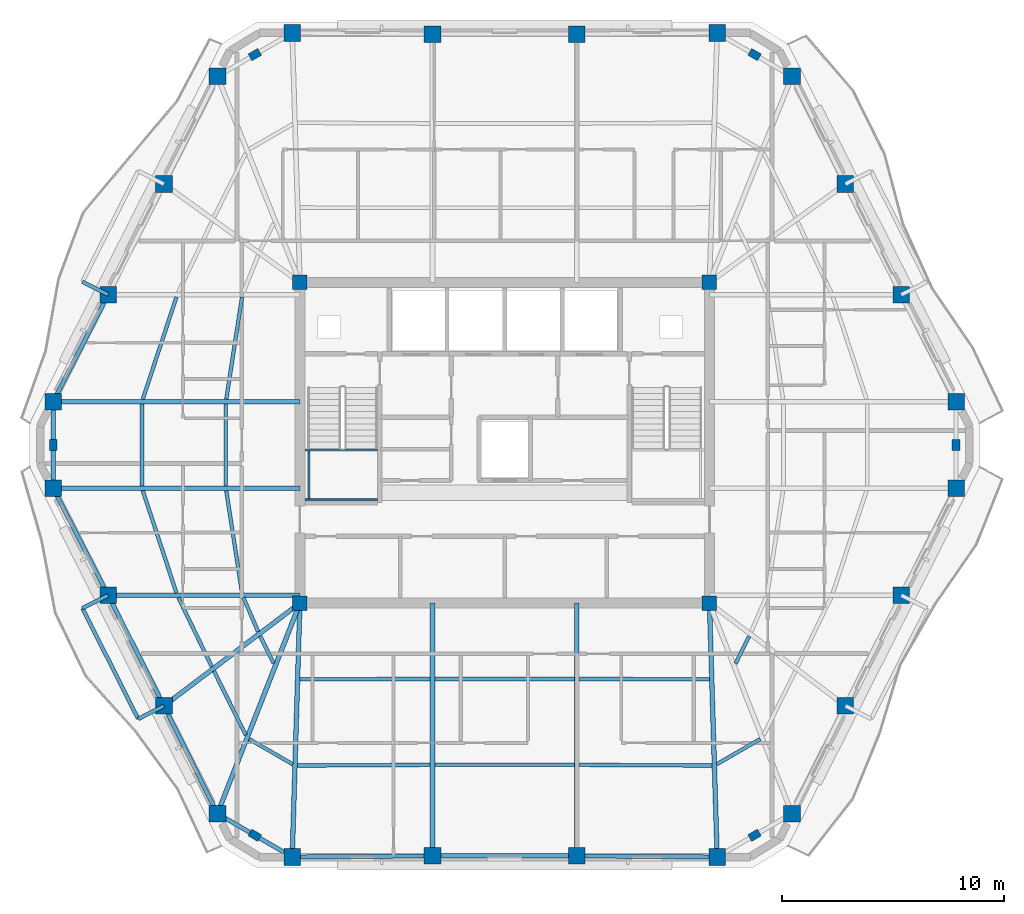
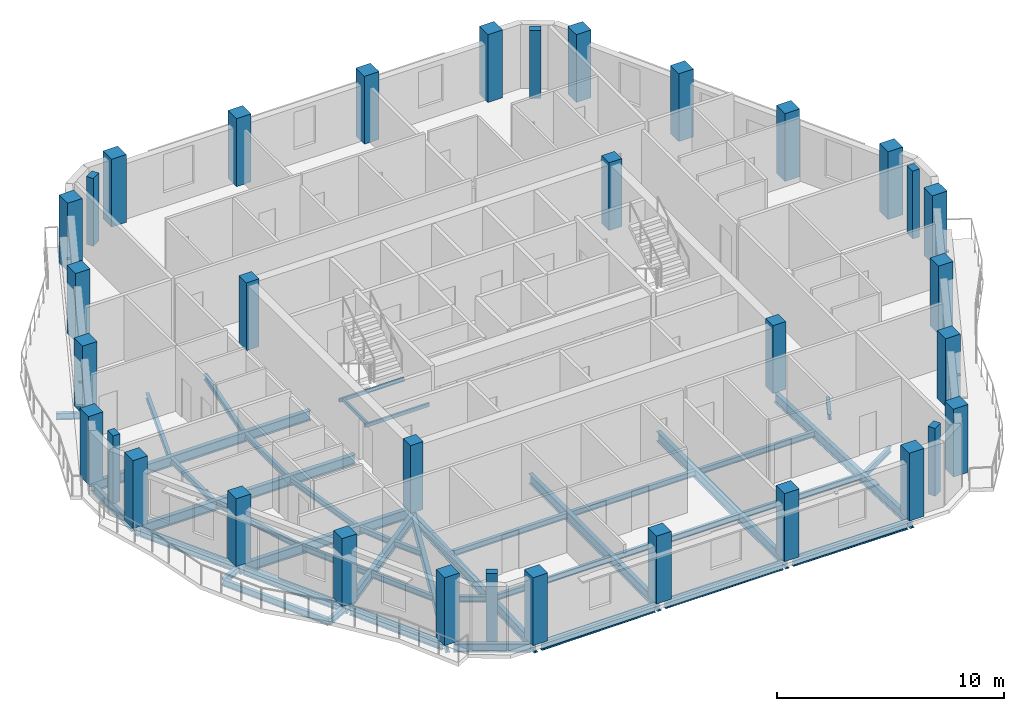
# One storey, part 1 of 11: 44 beams, 34 columns.
"""IFC4 building model written with IfcOpenShell, lengths in metres."""

from ifc_helpers import new_model, si_unit, direction, frame, origin, origin_2d, place, context, subcontext, project, spatial, rectangle, hollow_rectangle, i_section, extrude, material, material_profile, profile_set, type_object, element, save


model = new_model("IFC4")

# Units and contexts
model_context = context("Model", 3, precision=1e-05, world=origin(), true_north=direction((0.0, 1.0)))
body_context = subcontext(model_context, "Body", "Model", "MODEL_VIEW")
ifc_project = project(units=[si_unit("LENGTHUNIT", "METRE"), si_unit("AREAUNIT", "SQUARE_METRE"), si_unit("VOLUMEUNIT", "CUBIC_METRE"), si_unit("PLANEANGLEUNIT", "RADIAN"), si_unit("MASSUNIT", "GRAM", prefix="KILO")], contexts=[model_context])

# Site, building, storey
site_placement = place(None, origin())
site = spatial("IfcSite", under=ifc_project, at=site_placement, CompositionType="ELEMENT")
building_placement = place(site_placement, origin())
building = spatial("IfcBuilding", under=site, at=building_placement, Name="Cinnabar Lancet Tower", CompositionType="ELEMENT")
storey_placement = place(building_placement, frame((0.0, 0.0, 256.199951171875)))
storey = spatial("IfcBuildingStorey", under=building, at=storey_placement, Name="L68", CompositionType="ELEMENT", Elevation=256.199951171875)

# Columns
ifc_material_1 = material(Name="Concrete C50/60", Category="concrete")
ifc_material_profile_1 = material_profile(ifc_material_1, rectangle(XDim=0.64990234375, YDim=0.64990234375, at=origin_2d()), Name="RC-COL 650x650")
ifc_profile_set_1 = profile_set([ifc_material_profile_1], Name="Concrete C50/60")
column_type_1 = type_object("IfcColumnType", Name="STR-COL-CORE-650B", PredefinedType="COLUMN", material=ifc_profile_set_1)
for number, where, z_axis, x_axis, name in (
    (1, (23.175048828125, 18.675048828125, 0.0), (0.0, 0.0, 1.0), (1.0, 0.0, 0.0), "L68 Core Corner Column SW"),
    (2, (41.625, 18.675048828125, 0.0), (0.0, 0.0, 1.0), (1.0, 0.0, 0.0), "L68 Core Corner Column SE"),
    (3, (41.625, 33.125, 0.0), (0.0, 0.0, 1.0), (1.0, 0.0, 0.0), "L68 Core Corner Column NE"),
    (4, (23.175048828125, 33.125, 0.0), (0.0, 0.0, 1.0), (1.0, 0.0, 0.0), "L68 Core Corner Column NW"),
):
    element("IfcColumn", number, at=place(storey_placement, frame(where, z_axis=z_axis, x_axis=x_axis)), inside=storey, type_object=column_type_1, Name=name, PredefinedType="COLUMN", context=body_context, shape_type="SweptSolid", body=[
        extrude(rectangle(XDim=0.64990234375, YDim=0.64990234375, at=origin_2d()), origin(), (0.0, 0.0, 1.0), 3.650146484375),
    ])
ifc_material_2 = material(Name="Concrete C60/75", Category="concrete")
ifc_material_profile_2 = material_profile(ifc_material_2, rectangle(XDim=0.5, YDim=0.35009765625, at=origin_2d()), Name="RC-PIL 500x350")
ifc_profile_set_2 = profile_set([ifc_material_profile_2], Name="Concrete C60/75")
column_type_2 = type_object("IfcColumnType", Name="STR-COL-PIL-500", PredefinedType="PILASTER", material=ifc_profile_set_2)
for number, where, z_axis, x_axis, name in (
    (5, (21.14306640625, 8.215087890625, 0.0), (0.0, 0.0, 1.0), (0.865256437757, -0.501329529272, 0.0), "L68 Chamfered Corner Pilaster 1"),
    (6, (43.656982421875, 8.215087890625, 0.0), (0.0, 0.0, 1.0), (0.865256437757, 0.501329529272, 0.0), "L68 Chamfered Corner Pilaster 2"),
    (7, (52.737060546875, 25.800048828125, 0.0), (0.0, 0.0, 1.0), (0.0, 1.0, 0.0), "L68 Chamfered Corner Pilaster 3"),
    (8, (43.656982421875, 43.385009765625, 0.0), (0.0, 0.0, 1.0), (-0.865256437757, 0.501329529272, 0.0), "L68 Chamfered Corner Pilaster 4"),
    (9, (21.14306640625, 43.385009765625, 0.0), (0.0, 0.0, 1.0), (-0.865256437757, -0.501329529272, 0.0), "L68 Chamfered Corner Pilaster 5"),
    (10, (12.06298828125, 25.800048828125, 0.0), (0.0, 0.0, 1.0), (0.0, -1.0, 0.0), "L68 Chamfered Corner Pilaster 6"),
):
    element("IfcColumn", number, at=place(storey_placement, frame(where, z_axis=z_axis, x_axis=x_axis)), inside=storey, type_object=column_type_2, Name=name, PredefinedType="PILASTER", context=body_context, shape_type="SweptSolid", body=[
        extrude(rectangle(XDim=0.5, YDim=0.35009765625, at=origin_2d()), origin(), (0.0, 0.0, 1.0), 3.650146484375),
    ])
ifc_material_3 = material(Name="Concrete C50/60", Category="concrete")
ifc_material_profile_3 = material_profile(ifc_material_3, rectangle(XDim=0.75, YDim=0.75, at=origin_2d()), Name="RC-COL 750x750")
ifc_profile_set_3 = profile_set([ifc_material_profile_3], Name="Concrete C50/60")
column_type_3 = type_object("IfcColumnType", Name="STR-COL-TUBE-750", PredefinedType="COLUMN", material=ifc_profile_set_3)
for number, where, z_axis, x_axis, name in (
    (11, (22.827880859375, 7.239013671875, 0.0), (0.0, 0.0, 1.0), (1.0, 0.0, 0.0), "L68 Perimeter Tube Column 1"),
    (12, (29.14599609375, 7.2919921875, 0.0), (0.0, 0.0, 1.0), (1.0, 0.0, 0.0), "L68 Perimeter Tube Column 2"),
    (13, (35.654052734375, 7.2919921875, 0.0), (0.0, 0.0, 1.0), (1.0, 0.0, 0.0), "L68 Perimeter Tube Column 3"),
    (14, (41.971923828125, 7.239013671875, 0.0), (0.0, 0.0, 1.0), (1.0, 0.0, 0.0), "L68 Perimeter Tube Column 4"),
    (15, (45.341064453125, 9.19091796875, 0.0), (0.0, 0.0, 1.0), (1.0, 0.0, 0.0), "L68 Perimeter Tube Column 5"),
    (16, (47.7490234375, 14.0458984375, 0.0), (0.0, 0.0, 1.0), (1.0, 0.0, 0.0), "L68 Perimeter Tube Column 6"),
    (17, (50.263916015625, 19.032958984375, 0.0), (0.0, 0.0, 1.0), (1.0, 0.0, 0.0), "L68 Perimeter Tube Column 7"),
    (18, (52.737060546875, 23.844970703125, 0.0), (0.0, 0.0, 1.0), (1.0, 0.0, 0.0), "L68 Perimeter Tube Column 8"),
    (19, (52.737060546875, 27.7548828125, 0.0), (0.0, 0.0, 1.0), (1.0, 0.0, 0.0), "L68 Perimeter Tube Column 9"),
    (20, (50.263916015625, 32.56689453125, 0.0), (0.0, 0.0, 1.0), (1.0, 0.0, 0.0), "L68 Perimeter Tube Column 10"),
    (21, (47.7490234375, 37.553955078125, 0.0), (0.0, 0.0, 1.0), (1.0, 0.0, 0.0), "L68 Perimeter Tube Column 11"),
    (22, (45.341064453125, 42.408935546875, 0.0), (0.0, 0.0, 1.0), (1.0, 0.0, 0.0), "L68 Perimeter Tube Column 12"),
    (23, (41.971923828125, 44.361083984375, 0.0), (0.0, 0.0, 1.0), (1.0, 0.0, 0.0), "L68 Perimeter Tube Column 13"),
    (24, (35.654052734375, 44.30810546875, 0.0), (0.0, 0.0, 1.0), (1.0, 0.0, 0.0), "L68 Perimeter Tube Column 14"),
    (25, (29.14599609375, 44.30810546875, 0.0), (0.0, 0.0, 1.0), (1.0, 0.0, 0.0), "L68 Perimeter Tube Column 15"),
    (26, (22.827880859375, 44.361083984375, 0.0), (0.0, 0.0, 1.0), (1.0, 0.0, 0.0), "L68 Perimeter Tube Column 16"),
    (27, (19.458984375, 42.408935546875, 0.0), (0.0, 0.0, 1.0), (1.0, 0.0, 0.0), "L68 Perimeter Tube Column 17"),
    (28, (17.051025390625, 37.553955078125, 0.0), (0.0, 0.0, 1.0), (1.0, 0.0, 0.0), "L68 Perimeter Tube Column 18"),
    (29, (14.535888671875, 32.56689453125, 0.0), (0.0, 0.0, 1.0), (1.0, 0.0, 0.0), "L68 Perimeter Tube Column 19"),
    (30, (12.06298828125, 27.7548828125, 0.0), (0.0, 0.0, 1.0), (1.0, 0.0, 0.0), "L68 Perimeter Tube Column 20"),
    (31, (12.06298828125, 23.844970703125, 0.0), (0.0, 0.0, 1.0), (1.0, 0.0, 0.0), "L68 Perimeter Tube Column 21"),
    (32, (14.535888671875, 19.032958984375, 0.0), (0.0, 0.0, 1.0), (1.0, 0.0, 0.0), "L68 Perimeter Tube Column 22"),
    (33, (17.051025390625, 14.0458984375, 0.0), (0.0, 0.0, 1.0), (1.0, 0.0, 0.0), "L68 Perimeter Tube Column 23"),
    (34, (19.458984375, 9.19091796875, 0.0), (0.0, 0.0, 1.0), (1.0, 0.0, 0.0), "L68 Perimeter Tube Column 24"),
):
    element("IfcColumn", number, at=place(storey_placement, frame(where, z_axis=z_axis, x_axis=x_axis)), inside=storey, type_object=column_type_3, Name=name, PredefinedType="COLUMN", context=body_context, shape_type="SweptSolid", body=[
        extrude(rectangle(XDim=0.75, YDim=0.75, at=origin_2d()), origin(), (0.0, 0.0, 1.0), 3.650146484375),
    ])

# Beams
ifc_material_4 = material(Name="Structural steel S355", Category="steel")
ifc_material_profile_4 = material_profile(ifc_material_4, i_section(OverallWidth=0.1650390625, OverallDepth=0.303466796875, WebThickness=0.006103515625, FlangeThickness=0.01025390625, FilletRadius=0.0087890625, at=origin_2d()), Name="UKB 305x165x40")
ifc_profile_set_4 = profile_set([ifc_material_profile_4], Name="Structural steel S355")
beam_type_1 = type_object("IfcBeamType", Name="STR-BM-JST-305", PredefinedType="JOIST", material=ifc_profile_set_4)
beam_1_placement = place(storey_placement, frame((16.097900390625, 23.739990234375, -0.35205078125), z_axis=(0.312536616989, -0.949905712711, 0.0), x_axis=(0.949905712711, 0.312536616989, 0.0)))
element("IfcBeam", 35, at=beam_1_placement, inside=storey, type_object=beam_type_1, Name="L68 Secondary Floor Joist 1", PredefinedType="JOIST", context=body_context, shape_type="SweptSolid", body=[
    extrude(i_section(OverallWidth=0.1650390625, OverallDepth=0.303466796875, WebThickness=0.006103515625, FlangeThickness=0.01025390625, FilletRadius=0.0087890625, at=origin_2d()), origin(), (0.0, 0.0, 1.0), 4.8447265625),
])
beam_2_placement = place(storey_placement, frame((19.85791015625, 23.739990234375, -0.35205078125), z_axis=(0.152262059154, -0.988340156698, 0.0), x_axis=(0.988340156698, 0.152262059154, 0.0)))
element("IfcBeam", 36, at=beam_2_placement, inside=storey, type_object=beam_type_1, Name="L68 Secondary Floor Joist 2", PredefinedType="JOIST", context=body_context, shape_type="SweptSolid", body=[
    extrude(i_section(OverallWidth=0.1650390625, OverallDepth=0.303466796875, WebThickness=0.006103515625, FlangeThickness=0.01025390625, FilletRadius=0.0087890625, at=origin_2d()), origin(), (0.0, 0.0, 1.0), 4.65625),
])
beam_3_placement = place(storey_placement, frame((17.697021484375, 18.927978515625, -0.35205078125), z_axis=(0.43610936109, -0.899893674369, 0.0), x_axis=(0.899893674369, 0.43610936109, 0.0)))
element("IfcBeam", 37, at=beam_3_placement, inside=storey, type_object=beam_type_1, Name="L68 Secondary Floor Joist 3", PredefinedType="JOIST", context=body_context, shape_type="SweptSolid", body=[
    extrude(i_section(OverallWidth=0.1650390625, OverallDepth=0.303466796875, WebThickness=0.006103515625, FlangeThickness=0.01025390625, FilletRadius=0.0087890625, at=origin_2d()), origin(), (0.0, 0.0, 1.0), 3.467041015625),
])
beam_4_placement = place(storey_placement, frame((20.62890625, 18.927978515625, -0.35205078125), z_axis=(0.396302440144, -0.91812002262, 0.0), x_axis=(0.91812002262, 0.396302440144, 0.0)))
element("IfcBeam", 38, at=beam_4_placement, inside=storey, type_object=beam_type_1, Name="L68 Secondary Floor Joist 4", PredefinedType="JOIST", context=body_context, shape_type="SweptSolid", body=[
    extrude(i_section(OverallWidth=0.1650390625, OverallDepth=0.303466796875, WebThickness=0.006103515625, FlangeThickness=0.01025390625, FilletRadius=0.0087890625, at=origin_2d()), origin(), (0.0, 0.0, 1.0), 1.6806640625),
])
beam_5_placement = place(storey_placement, frame((19.302978515625, 15.616943359375, -0.35205078125), z_axis=(0.444330443712, -0.895862967641, 0.0), x_axis=(0.895862967641, 0.444330443712, 0.0)))
element("IfcBeam", 39, at=beam_5_placement, inside=storey, type_object=beam_type_1, Name="L68 Secondary Floor Joist 5", PredefinedType="JOIST", context=body_context, shape_type="SweptSolid", body=[
    extrude(i_section(OverallWidth=0.1650390625, OverallDepth=0.303466796875, WebThickness=0.006103515625, FlangeThickness=0.01025390625, FilletRadius=0.0087890625, at=origin_2d()), origin(), (0.0, 0.0, 1.0), 3.220458984375),
])
beam_6_placement = place(storey_placement, frame((21.385009765625, 17.19091796875, -0.35205078125), z_axis=(0.444093192127, -0.89598060063, 0.0), x_axis=(0.89598060063, 0.444093192127, 0.0)))
element("IfcBeam", 40, at=beam_6_placement, inside=storey, type_object=beam_type_1, Name="L68 Secondary Floor Joist 6", PredefinedType="JOIST", context=body_context, shape_type="SweptSolid", body=[
    extrude(i_section(OverallWidth=0.1650390625, OverallDepth=0.303466796875, WebThickness=0.006103515625, FlangeThickness=0.01025390625, FilletRadius=0.0087890625, at=origin_2d()), origin(), (0.0, 0.0, 1.0), 1.378173828125),
])
beam_7_placement = place(storey_placement, frame((20.887939453125, 12.552001953125, -0.35205078125), z_axis=(0.865426285481, -0.501036270542, 0.0), x_axis=(0.501036270542, 0.865426285481, 0.0)))
element("IfcBeam", 41, at=beam_7_placement, inside=storey, type_object=beam_type_1, Name="L68 Secondary Floor Joist 7", PredefinedType="JOIST", context=body_context, shape_type="SweptSolid", body=[
    extrude(i_section(OverallWidth=0.1650390625, OverallDepth=0.303466796875, WebThickness=0.006103515625, FlangeThickness=0.01025390625, FilletRadius=0.0087890625, at=origin_2d()), origin(), (0.0, 0.0, 1.0), 2.267333984375),
])
beam_8_placement = place(storey_placement, frame((23.05810546875, 11.35693359375, -0.35205078125), z_axis=(0.999985712428, 0.005345553266, 0.0), x_axis=(-0.005345553266, 0.999985712428, 0.0)))
element("IfcBeam", 42, at=beam_8_placement, inside=storey, type_object=beam_type_1, Name="L68 Secondary Floor Joist 8", PredefinedType="JOIST", context=body_context, shape_type="SweptSolid", body=[
    extrude(i_section(OverallWidth=0.1650390625, OverallDepth=0.303466796875, WebThickness=0.006103515625, FlangeThickness=0.01025390625, FilletRadius=0.0087890625, at=origin_2d()), origin(), (0.0, 0.0, 1.0), 5.98291015625),
])
beam_9_placement = place(storey_placement, frame((23.176025390625, 15.243896484375, -0.35205078125), z_axis=(0.999996226008, 0.002747356738, 0.0), x_axis=(-0.002747356738, 0.999996226008, 0.0)))
element("IfcBeam", 43, at=beam_9_placement, inside=storey, type_object=beam_type_1, Name="L68 Secondary Floor Joist 9", PredefinedType="JOIST", context=body_context, shape_type="SweptSolid", body=[
    extrude(i_section(OverallWidth=0.1650390625, OverallDepth=0.303466796875, WebThickness=0.006103515625, FlangeThickness=0.01025390625, FilletRadius=0.0087890625, at=origin_2d()), origin(), (0.0, 0.0, 1.0), 5.864990234375),
])
for number, where, z_axis, x_axis, name in (
    (44, (29.2509765625, 11.389892578125, -0.35205078125), (1.0, 0.0, 0.0), (0.0, 1.0, 0.0), "L68 Secondary Floor Joist 10"),
    (45, (29.2509765625, 15.260009765625, -0.35205078125), (1.0, 0.0, 0.0), (0.0, 1.0, 0.0), "L68 Secondary Floor Joist 11"),
):
    element("IfcBeam", number, at=place(storey_placement, frame(where, z_axis=z_axis, x_axis=x_axis)), inside=storey, type_object=beam_type_1, Name=name, PredefinedType="JOIST", context=body_context, shape_type="SweptSolid", body=[
        extrude(i_section(OverallWidth=0.1650390625, OverallDepth=0.303466796875, WebThickness=0.006103515625, FlangeThickness=0.01025390625, FilletRadius=0.0087890625, at=origin_2d()), origin(), (0.0, 0.0, 1.0), 6.298095703125),
    ])
beam_10_placement = place(storey_placement, frame((35.759033203125, 11.388916015625, -0.35205078125), z_axis=(0.999985712428, -0.005345553266, 0.0), x_axis=(0.005345553266, 0.999985712428, 0.0)))
element("IfcBeam", 46, at=beam_10_placement, inside=storey, type_object=beam_type_1, Name="L68 Secondary Floor Joist 12", PredefinedType="JOIST", context=body_context, shape_type="SweptSolid", body=[
    extrude(i_section(OverallWidth=0.1650390625, OverallDepth=0.303466796875, WebThickness=0.006103515625, FlangeThickness=0.01025390625, FilletRadius=0.0087890625, at=origin_2d()), origin(), (0.0, 0.0, 1.0), 5.98291015625),
])
beam_11_placement = place(storey_placement, frame((35.759033203125, 15.260009765625, -0.35205078125), z_axis=(0.999996226008, -0.002747356738, 0.0), x_axis=(0.002747356738, 0.999996226008, 0.0)))
element("IfcBeam", 47, at=beam_11_placement, inside=storey, type_object=beam_type_1, Name="L68 Secondary Floor Joist 13", PredefinedType="JOIST", context=body_context, shape_type="SweptSolid", body=[
    extrude(i_section(OverallWidth=0.1650390625, OverallDepth=0.303466796875, WebThickness=0.006103515625, FlangeThickness=0.01025390625, FilletRadius=0.0087890625, at=origin_2d()), origin(), (0.0, 0.0, 1.0), 5.864990234375),
])
beam_12_placement = place(storey_placement, frame((41.949951171875, 11.416015625, -0.35205078125), z_axis=(0.865426285481, 0.501036270542, 0.0), x_axis=(-0.501036270542, 0.865426285481, 0.0)))
element("IfcBeam", 48, at=beam_12_placement, inside=storey, type_object=beam_type_1, Name="L68 Secondary Floor Joist 14", PredefinedType="JOIST", context=body_context, shape_type="SweptSolid", body=[
    extrude(i_section(OverallWidth=0.1650390625, OverallDepth=0.303466796875, WebThickness=0.006103515625, FlangeThickness=0.01025390625, FilletRadius=0.0087890625, at=origin_2d()), origin(), (0.0, 0.0, 1.0), 2.267333984375),
])
beam_13_placement = place(storey_placement, frame((42.802978515625, 15.9560546875, -0.35205078125), z_axis=(0.444093192127, 0.89598060063, 0.0), x_axis=(-0.89598060063, 0.444093192127, 0.0)))
element("IfcBeam", 49, at=beam_13_placement, inside=storey, type_object=beam_type_1, Name="L68 Secondary Floor Joist 16", PredefinedType="JOIST", context=body_context, shape_type="SweptSolid", body=[
    extrude(i_section(OverallWidth=0.1650390625, OverallDepth=0.303466796875, WebThickness=0.006103515625, FlangeThickness=0.01025390625, FilletRadius=0.0087890625, at=origin_2d()), origin(), (0.0, 0.0, 1.0), 1.378173828125),
])
beam_14_placement = place(storey_placement, frame((17.612060546875, 32.4619140625, -0.35205078125), z_axis=(-0.312551578319, -0.949900790025, 0.0), x_axis=(0.949900790025, -0.312551578319, 0.0)))
element("IfcBeam", 50, at=beam_14_placement, inside=storey, type_object=beam_type_1, Name="L68 Secondary Floor Joist 41", PredefinedType="JOIST", context=body_context, shape_type="SweptSolid", body=[
    extrude(i_section(OverallWidth=0.1650390625, OverallDepth=0.303466796875, WebThickness=0.006103515625, FlangeThickness=0.01025390625, FilletRadius=0.0087890625, at=origin_2d()), origin(), (0.0, 0.0, 1.0), 4.844482421875),
])
beam_15_placement = place(storey_placement, frame((20.56689453125, 32.4619140625, -0.35205078125), z_axis=(-0.152269949853, -0.988338941038, 0.0), x_axis=(0.988338941038, -0.152269949853, 0.0)))
element("IfcBeam", 51, at=beam_15_placement, inside=storey, type_object=beam_type_1, Name="L68 Secondary Floor Joist 42", PredefinedType="JOIST", context=body_context, shape_type="SweptSolid", body=[
    extrude(i_section(OverallWidth=0.1650390625, OverallDepth=0.303466796875, WebThickness=0.006103515625, FlangeThickness=0.01025390625, FilletRadius=0.0087890625, at=origin_2d()), origin(), (0.0, 0.0, 1.0), 4.656005859375),
])
for number, where, z_axis, x_axis, name in (
    (52, (16.06298828125, 27.64990234375, -0.35205078125), (0.0, -1.0, 0.0), (1.0, 0.0, 0.0), "L68 Secondary Floor Joist 43"),
    (53, (19.841064453125, 27.64990234375, -0.35205078125), (0.0, -1.0, 0.0), (1.0, 0.0, 0.0), "L68 Secondary Floor Joist 44"),
):
    element("IfcBeam", number, at=place(storey_placement, frame(where, z_axis=z_axis, x_axis=x_axis)), inside=storey, type_object=beam_type_1, Name=name, PredefinedType="JOIST", context=body_context, shape_type="SweptSolid", body=[
        extrude(i_section(OverallWidth=0.1650390625, OverallDepth=0.303466796875, WebThickness=0.006103515625, FlangeThickness=0.01025390625, FilletRadius=0.0087890625, at=origin_2d()), origin(), (0.0, 0.0, 1.0), 3.699951171875),
    ])
ifc_material_5 = material(Name="Structural steel S355", Category="steel")
ifc_material_profile_5 = material_profile(ifc_material_5, hollow_rectangle(XDim=0.10009765625, YDim=0.199951171875, WallThickness=0.008056640625, InnerFilletRadius=0.00390625, OuterFilletRadius=0.011962890625, at=origin_2d()), Name="RHS 200x100x8")
ifc_profile_set_5 = profile_set([ifc_material_profile_5], Name="Structural steel S355")
beam_type_2 = type_object("IfcBeamType", Name="STR-BM-LND-203", PredefinedType="BEAM", material=ifc_profile_set_5)
for number, where, z_axis, x_axis, name in (
    (54, (23.39990234375, 23.330078125, 1.525146484375), (1.0, 0.0, 0.0), (0.0, 1.0, 0.0), "L68 ST-1-L68 Landing Support Beam S"),
    (55, (23.39990234375, 25.570068359375, 1.525146484375), (1.0, 0.0, 0.0), (0.0, 1.0, 0.0), "L68 ST-1-L68 Landing Support Beam N"),
):
    element("IfcBeam", number, at=place(storey_placement, frame(where, z_axis=z_axis, x_axis=x_axis)), inside=storey, type_object=beam_type_2, Name=name, PredefinedType="BEAM", context=body_context, shape_type="SweptSolid", body=[
        extrude(hollow_rectangle(XDim=0.10009765625, YDim=0.199951171875, WallThickness=0.008056640625, InnerFilletRadius=0.00390625, OuterFilletRadius=0.011962890625, at=origin_2d()), origin(), (0.0, 0.0, 1.0), 3.280029296875),
    ])
beam_16_placement = place(storey_placement, frame((23.580078125, 23.3798828125, 1.525146484375), z_axis=(0.0, 1.0, 0.0), x_axis=(-1.0, 0.0, 0.0)))
element("IfcBeam", 56, at=beam_16_placement, inside=storey, type_object=beam_type_2, Name="L68 ST-1-L68 Landing Side Trimmer Beam", PredefinedType="BEAM", context=body_context, shape_type="SweptSolid", body=[
    extrude(hollow_rectangle(XDim=0.10009765625, YDim=0.199951171875, WallThickness=0.008056640625, InnerFilletRadius=0.00390625, OuterFilletRadius=0.011962890625, at=origin_2d()), origin(), (0.0, 0.0, 1.0), 2.14013671875),
])
ifc_material_6 = material(Name="Structural steel S355", Category="steel")
ifc_material_profile_6 = material_profile(ifc_material_6, i_section(OverallWidth=0.1904296875, OverallDepth=0.45703125, WebThickness=0.009033203125, FlangeThickness=0.014404296875, FilletRadius=0.01025390625, at=origin_2d()), Name="UKB 457x191x74")
ifc_profile_set_6 = profile_set([ifc_material_profile_6], Name="Structural steel S355")
beam_type_3 = type_object("IfcBeamType", Name="STR-BM-SPN-457", PredefinedType="SPANDREL", material=ifc_profile_set_6)
beam_17_placement = place(storey_placement, frame((23.077880859375, 7.240966796875, -0.427978515625), z_axis=(0.999964432412, 0.008434092187, 0.0), x_axis=(-0.008434092187, 0.999964432412, 0.0)))
element("IfcBeam", 57, at=beam_17_placement, inside=storey, type_object=beam_type_3, Name="L68 Perimeter Spandrel 1", PredefinedType="SPANDREL", context=body_context, shape_type="SweptSolid", body=[
    extrude(i_section(OverallWidth=0.1904296875, OverallDepth=0.45703125, WebThickness=0.009033203125, FlangeThickness=0.014404296875, FilletRadius=0.01025390625, at=origin_2d()), origin(), (0.0, 0.0, 1.0), 5.818359375),
])
beam_18_placement = place(storey_placement, frame((29.39599609375, 7.2919921875, -0.427978515625), z_axis=(1.0, 0.0, 0.0), x_axis=(0.0, 1.0, 0.0)))
element("IfcBeam", 58, at=beam_18_placement, inside=storey, type_object=beam_type_3, Name="L68 Perimeter Spandrel 2", PredefinedType="SPANDREL", context=body_context, shape_type="SweptSolid", body=[
    extrude(i_section(OverallWidth=0.1904296875, OverallDepth=0.45703125, WebThickness=0.009033203125, FlangeThickness=0.014404296875, FilletRadius=0.01025390625, at=origin_2d()), origin(), (0.0, 0.0, 1.0), 6.008056640625),
])
beam_19_placement = place(storey_placement, frame((35.904052734375, 7.2900390625, -0.427978515625), z_axis=(0.999964429427, -0.00843444609, 0.0), x_axis=(0.00843444609, 0.999964429427, 0.0)))
element("IfcBeam", 59, at=beam_19_placement, inside=storey, type_object=beam_type_3, Name="L68 Perimeter Spandrel 3", PredefinedType="SPANDREL", context=body_context, shape_type="SweptSolid", body=[
    extrude(i_section(OverallWidth=0.1904296875, OverallDepth=0.45703125, WebThickness=0.009033203125, FlangeThickness=0.014404296875, FilletRadius=0.01025390625, at=origin_2d()), origin(), (0.0, 0.0, 1.0), 5.818115234375),
])
beam_20_placement = place(storey_placement, frame((14.422119140625, 32.344970703125, -0.427978515625), z_axis=(-0.457148063427, -0.889390604912, 0.0), x_axis=(0.889390604912, -0.457148063427, 0.0)))
element("IfcBeam", 60, at=beam_20_placement, inside=storey, type_object=beam_type_3, Name="L68 Perimeter Spandrel 19", PredefinedType="SPANDREL", context=body_context, shape_type="SweptSolid", body=[
    extrude(i_section(OverallWidth=0.1904296875, OverallDepth=0.45703125, WebThickness=0.009033203125, FlangeThickness=0.014404296875, FilletRadius=0.01025390625, at=origin_2d()), origin(), (0.0, 0.0, 1.0), 4.9111328125),
])
beam_21_placement = place(storey_placement, frame((12.06298828125, 27.5048828125, -0.427978515625), z_axis=(0.0, -1.0, 0.0), x_axis=(1.0, 0.0, 0.0)))
element("IfcBeam", 61, at=beam_21_placement, inside=storey, type_object=beam_type_3, Name="L68 Perimeter Spandrel 20", PredefinedType="SPANDREL", context=body_context, shape_type="SweptSolid", body=[
    extrude(i_section(OverallWidth=0.1904296875, OverallDepth=0.45703125, WebThickness=0.009033203125, FlangeThickness=0.014404296875, FilletRadius=0.01025390625, at=origin_2d()), origin(), (0.0, 0.0, 1.0), 3.409912109375),
])
beam_22_placement = place(storey_placement, frame((12.177001953125, 23.623046875, -0.427978515625), z_axis=(0.457127852293, -0.889400993174, 0.0), x_axis=(0.889400993174, 0.457127852293, 0.0)))
element("IfcBeam", 62, at=beam_22_placement, inside=storey, type_object=beam_type_3, Name="L68 Perimeter Spandrel 21", PredefinedType="SPANDREL", context=body_context, shape_type="SweptSolid", body=[
    extrude(i_section(OverallWidth=0.1904296875, OverallDepth=0.45703125, WebThickness=0.009033203125, FlangeThickness=0.014404296875, FilletRadius=0.01025390625, at=origin_2d()), origin(), (0.0, 0.0, 1.0), 4.911376953125),
])
beam_23_placement = place(storey_placement, frame((14.64892578125, 18.81005859375, -0.427978515625), z_axis=(0.450130146726, -0.892962961722, 0.0), x_axis=(0.892962961722, 0.450130146726, 0.0)))
element("IfcBeam", 63, at=beam_23_placement, inside=storey, type_object=beam_type_3, Name="L68 Perimeter Spandrel 22", PredefinedType="SPANDREL", context=body_context, shape_type="SweptSolid", body=[
    extrude(i_section(OverallWidth=0.1904296875, OverallDepth=0.45703125, WebThickness=0.009033203125, FlangeThickness=0.014404296875, FilletRadius=0.01025390625, at=origin_2d()), origin(), (0.0, 0.0, 1.0), 5.08544921875),
])
beam_24_placement = place(storey_placement, frame((17.162109375, 13.822021484375, -0.427978515625), z_axis=(0.44433276947, -0.895861814107, 0.0), x_axis=(0.895861814107, 0.44433276947, 0.0)))
element("IfcBeam", 64, at=beam_24_placement, inside=storey, type_object=beam_type_3, Name="L68 Perimeter Spandrel 23", PredefinedType="SPANDREL", context=body_context, shape_type="SweptSolid", body=[
    extrude(i_section(OverallWidth=0.1904296875, OverallDepth=0.45703125, WebThickness=0.009033203125, FlangeThickness=0.014404296875, FilletRadius=0.01025390625, at=origin_2d()), origin(), (0.0, 0.0, 1.0), 4.919189453125),
])
beam_25_placement = place(storey_placement, frame((19.675048828125, 9.06591796875, -0.427978515625), z_axis=(0.865230894194, -0.50137361292, 0.0), x_axis=(0.50137361292, 0.865230894194, 0.0)))
element("IfcBeam", 65, at=beam_25_placement, inside=storey, type_object=beam_type_3, Name="L68 Perimeter Spandrel 24", PredefinedType="SPANDREL", context=body_context, shape_type="SweptSolid", body=[
    extrude(i_section(OverallWidth=0.1904296875, OverallDepth=0.45703125, WebThickness=0.009033203125, FlangeThickness=0.014404296875, FilletRadius=0.01025390625, at=origin_2d()), origin(), (0.0, 0.0, 1.0), 3.39453125),
])
ifc_material_7 = material(Name="Structural steel S355", Category="steel")
ifc_material_profile_7 = material_profile(ifc_material_7, i_section(OverallWidth=0.209228515625, OverallDepth=0.533203125, WebThickness=0.010009765625, FlangeThickness=0.015625, FilletRadius=0.0126953125, at=origin_2d()), Name="UKB 533x210x92")
ifc_profile_set_7 = profile_set([ifc_material_profile_7], Name="Structural steel S355")
beam_type_4 = type_object("IfcBeamType", Name="STR-BM-UKB533-92", PredefinedType="BEAM", material=ifc_profile_set_7)
beam_26_placement = place(storey_placement, frame((17.051025390625, 14.0458984375, -0.467041015625), z_axis=(0.797735075719, 0.603008083667, 0.0), x_axis=(-0.603008083667, 0.797735075719, 0.0)))
element("IfcBeam", 66, at=beam_26_placement, inside=storey, type_object=beam_type_4, Name="L68 Corner Collector Girder 1", PredefinedType="BEAM", context=body_context, shape_type="SweptSolid", body=[
    extrude(i_section(OverallWidth=0.209228515625, OverallDepth=0.533203125, WebThickness=0.010009765625, FlangeThickness=0.015625, FilletRadius=0.0126953125, at=origin_2d()), origin(), (0.0, 0.0, 1.0), 7.6767578125),
])
beam_27_placement = place(storey_placement, frame((22.827880859375, 7.239013671875, -0.467041015625), z_axis=(0.030343393029, 0.999539533235, 0.0), x_axis=(-0.999539533235, 0.030343393029, 0.0)))
element("IfcBeam", 67, at=beam_27_placement, inside=storey, type_object=beam_type_4, Name="L68 Primary Floor Girder 1", PredefinedType="BEAM", context=body_context, shape_type="SweptSolid", body=[
    extrude(i_section(OverallWidth=0.209228515625, OverallDepth=0.533203125, WebThickness=0.010009765625, FlangeThickness=0.015625, FilletRadius=0.0126953125, at=origin_2d()), origin(), (0.0, 0.0, 1.0), 11.44140625),
])
for number, where, z_axis, x_axis, name in (
    (68, (29.14599609375, 7.2919921875, -0.467041015625), (0.0, 1.0, 0.0), (-1.0, 0.0, 0.0), "L68 Primary Floor Girder 2"),
    (69, (35.654052734375, 7.2919921875, -0.467041015625), (0.0, 1.0, 0.0), (-1.0, 0.0, 0.0), "L68 Primary Floor Girder 3"),
):
    element("IfcBeam", number, at=place(storey_placement, frame(where, z_axis=z_axis, x_axis=x_axis)), inside=storey, type_object=beam_type_4, Name=name, PredefinedType="BEAM", context=body_context, shape_type="SweptSolid", body=[
        extrude(i_section(OverallWidth=0.209228515625, OverallDepth=0.533203125, WebThickness=0.010009765625, FlangeThickness=0.015625, FilletRadius=0.0126953125, at=origin_2d()), origin(), (0.0, 0.0, 1.0), 11.383056640625),
    ])
beam_28_placement = place(storey_placement, frame((41.971923828125, 7.239013671875, -0.467041015625), z_axis=(-0.030322074123, 0.999540180193, 0.0), x_axis=(-0.999540180193, -0.030322074123, 0.0)))
element("IfcBeam", 70, at=beam_28_placement, inside=storey, type_object=beam_type_4, Name="L68 Primary Floor Girder 4", PredefinedType="BEAM", context=body_context, shape_type="SweptSolid", body=[
    extrude(i_section(OverallWidth=0.209228515625, OverallDepth=0.533203125, WebThickness=0.010009765625, FlangeThickness=0.015625, FilletRadius=0.0126953125, at=origin_2d()), origin(), (0.0, 0.0, 1.0), 11.44140625),
])
for number, where, z_axis, x_axis, name in (
    (71, (12.06298828125, 27.7548828125, -0.467041015625), (1.0, 0.0, 0.0), (0.0, 1.0, 0.0), "L68 Primary Floor Girder 20"),
    (72, (12.06298828125, 23.844970703125, -0.467041015625), (1.0, 0.0, 0.0), (0.0, 1.0, 0.0), "L68 Primary Floor Girder 21"),
):
    element("IfcBeam", number, at=place(storey_placement, frame(where, z_axis=z_axis, x_axis=x_axis)), inside=storey, type_object=beam_type_4, Name=name, PredefinedType="BEAM", context=body_context, shape_type="SweptSolid", body=[
        extrude(i_section(OverallWidth=0.209228515625, OverallDepth=0.533203125, WebThickness=0.010009765625, FlangeThickness=0.015625, FilletRadius=0.0126953125, at=origin_2d()), origin(), (0.0, 0.0, 1.0), 11.112060546875),
    ])
beam_29_placement = place(storey_placement, frame((14.535888671875, 19.032958984375, -0.467041015625), z_axis=(1.0, 0.0, 0.0), x_axis=(0.0, 1.0, 0.0)))
element("IfcBeam", 73, at=beam_29_placement, inside=storey, type_object=beam_type_4, Name="L68 Primary Floor Girder 22", PredefinedType="BEAM", context=body_context, shape_type="SweptSolid", body=[
    extrude(i_section(OverallWidth=0.209228515625, OverallDepth=0.533203125, WebThickness=0.010009765625, FlangeThickness=0.015625, FilletRadius=0.0126953125, at=origin_2d()), origin(), (0.0, 0.0, 1.0), 8.63916015625),
])
beam_30_placement = place(storey_placement, frame((19.458984375, 9.19091796875, -0.467041015625), z_axis=(0.364815017375, 0.931080019707, 0.0), x_axis=(-0.931080019707, 0.364815017375, 0.0)))
element("IfcBeam", 74, at=beam_30_placement, inside=storey, type_object=beam_type_4, Name="L68 Primary Floor Girder 24", PredefinedType="BEAM", context=body_context, shape_type="SweptSolid", body=[
    extrude(i_section(OverallWidth=0.209228515625, OverallDepth=0.533203125, WebThickness=0.010009765625, FlangeThickness=0.015625, FilletRadius=0.0126953125, at=origin_2d()), origin(), (0.0, 0.0, 1.0), 10.186279296875),
])
ifc_material_8 = material(Name="Structural steel S355", Category="steel")
ifc_material_profile_8 = material_profile(ifc_material_8, i_section(OverallWidth=0.17138671875, OverallDepth=0.35498046875, WebThickness=0.00732421875, FlangeThickness=0.011474609375, FilletRadius=0.01025390625, at=origin_2d()), Name="UKB 356x171x51")
ifc_profile_set_8 = profile_set([ifc_material_profile_8], Name="Structural steel S355")
beam_type_5 = type_object("IfcBeamType", Name="STR-BM-WAV-OUT", PredefinedType="BEAM", material=ifc_profile_set_8)
for number, where, z_axis, x_axis, name in (
    (75, (14.535888671875, 32.56689453125, -0.39794921875), (-0.892200264127, 0.451639998995, 0.0), (-0.451639998995, -0.892200264127, 0.0), "L68 Face 5 Balcony Outlooker B"),
    (76, (14.535888671875, 19.032958984375, -0.39794921875), (-0.89227592947, -0.451490493464, 0.0), (0.451490493464, -0.89227592947, 0.0), "L68 Face 6 Balcony Outlooker A"),
    (77, (17.051025390625, 14.0458984375, -0.39794921875), (-0.89227592947, -0.451490493464, 0.0), (0.451490493464, -0.89227592947, 0.0), "L68 Face 6 Balcony Outlooker B"),
):
    element("IfcBeam", number, at=place(storey_placement, frame(where, z_axis=z_axis, x_axis=x_axis)), inside=storey, type_object=beam_type_5, Name=name, PredefinedType="BEAM", context=body_context, shape_type="SweptSolid", body=[
        extrude(i_section(OverallWidth=0.17138671875, OverallDepth=0.35498046875, WebThickness=0.00732421875, FlangeThickness=0.011474609375, FilletRadius=0.01025390625, at=origin_2d()), origin(), (0.0, 0.0, 1.0), 1.300048828125),
    ])
ifc_material_9 = material(Name="Structural steel S355", Category="steel")
ifc_material_profile_9 = material_profile(ifc_material_9, i_section(OverallWidth=0.17138671875, OverallDepth=0.35498046875, WebThickness=0.00732421875, FlangeThickness=0.011474609375, FilletRadius=0.01025390625, at=origin_2d()), Name="UKB 356x171x51")
ifc_profile_set_9 = profile_set([ifc_material_profile_9], Name="Structural steel S355")
beam_type_6 = type_object("IfcBeamType", Name="STR-BM-WAV-TRIM", PredefinedType="SPANDREL", material=ifc_profile_set_9)
beam_31_placement = place(storey_placement, frame((13.3759765625, 18.446044921875, -0.39794921875), z_axis=(0.450305622338, -0.892874485295, 0.0), x_axis=(0.892874485295, 0.450305622338, 0.0)))
element("IfcBeam", 78, at=beam_31_placement, inside=storey, type_object=beam_type_6, Name="L68 Face 6 Balcony Edge Trimmer", PredefinedType="SPANDREL", context=body_context, shape_type="SweptSolid", body=[
    extrude(i_section(OverallWidth=0.17138671875, OverallDepth=0.35498046875, WebThickness=0.00732421875, FlangeThickness=0.011474609375, FilletRadius=0.01025390625, at=origin_2d()), origin(), (0.0, 0.0, 1.0), 5.58544921875),
])

save(model, "model.ifc")
